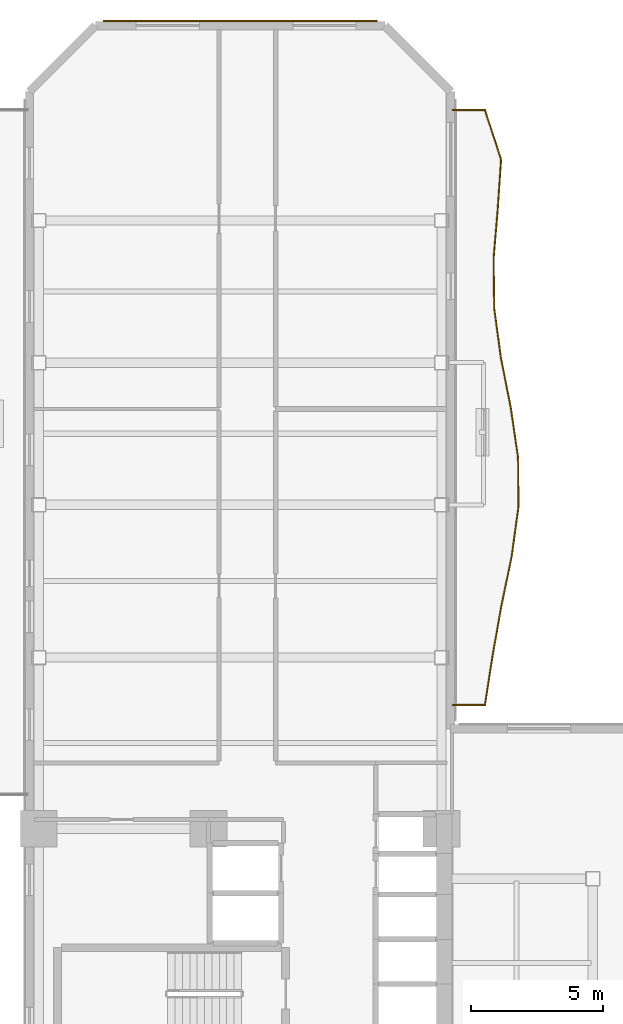
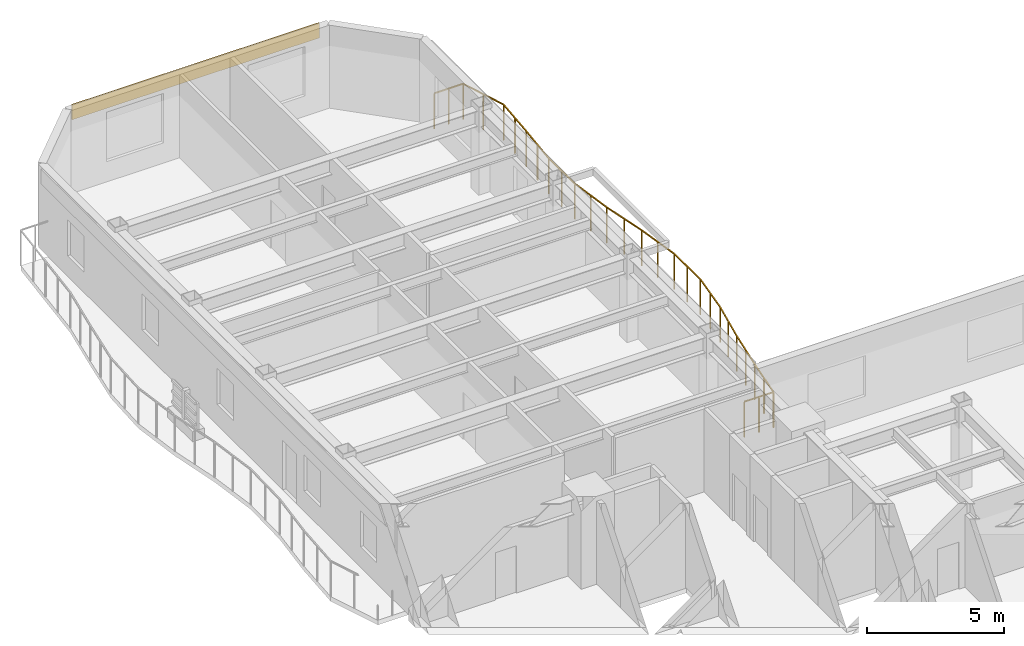
# One storey, part 16 of 16: 1 covering, 1 railing.
"""IFC4 building model written with IfcOpenShell, lengths in metres."""

from ifc_helpers import new_model, si_unit, direction, frame, origin, origin_2d, place, context, subcontext, project, spatial, rectangle, extrude, material, layer, layer_set, type_object, element, save


model = new_model("IFC4")

# Units and contexts
model_context = context("Model", 3, precision=1e-05, world=origin(), true_north=direction((0.0, 1.0)))
body_context = subcontext(model_context, "Body", "Model", "MODEL_VIEW")
ifc_project = project(units=[si_unit("LENGTHUNIT", "METRE"), si_unit("AREAUNIT", "SQUARE_METRE"), si_unit("VOLUMEUNIT", "CUBIC_METRE"), si_unit("PLANEANGLEUNIT", "RADIAN"), si_unit("MASSUNIT", "GRAM", prefix="KILO")], contexts=[model_context])

# Site, building, storey
site_placement = place(None, origin())
site = spatial("IfcSite", under=ifc_project, at=site_placement, CompositionType="ELEMENT")
building_placement = place(site_placement, origin())
building = spatial("IfcBuilding", under=site, at=building_placement, Name="Mawjaban Terraces University", CompositionType="ELEMENT")
storey_placement = place(building_placement, frame((0.0, 0.0, 54.39990234375)))
storey = spatial("IfcBuildingStorey", under=building, at=storey_placement, Name="L12", CompositionType="ELEMENT", Elevation=54.39990234375)

# Railing
ifc_material_1 = material(Name="Galvanised powder-coated steel S355", Category="steel")
railing_type = type_object("IfcRailingType", Name="BalconyBalustrade_1600", PredefinedType="BALUSTRADE", material=ifc_material_1)
railing_placement = place(storey_placement, frame((38.080078125, 28.195068359375, 0.0)))
element("IfcRailing", 1, at=railing_placement, inside=storey, type_object=railing_type, Name="L12 Balcony Guardrail inner_east", PredefinedType="BALUSTRADE", context=body_context, shape_type="SweptSolid", body=[
    extrude(rectangle(XDim=0.048095703125, YDim=0.048095703125, at=origin_2d()), frame((0.0, 0.0, 1.576171875), z_axis=(1.0, 0.0, 0.0), x_axis=(0.0, 1.0, 0.0)), (0.0, 0.0, 1.0), 1.219970703125),
    extrude(rectangle(XDim=0.048095703125, YDim=0.048095703125, at=origin_2d()), frame((1.219970703125, 0.0, 1.576171875), z_axis=(0.153654219837, 0.988124678736, 0.0), x_axis=(-0.988124678736, 0.153654219837, 0.0)), (0.0, 0.0, 1.0), 1.90673828125),
    extrude(rectangle(XDim=0.048095703125, YDim=0.048095703125, at=origin_2d()), frame((1.512939453125, 1.884033203125, 1.576171875), z_axis=(0.17416409514, 0.984716643489, 0.0), x_axis=(-0.984716643489, 0.17416409514, 0.0)), (0.0, 0.0, 1.0), 1.912109375),
    extrude(rectangle(XDim=0.048095703125, YDim=0.048095703125, at=origin_2d()), frame((1.845947265625, 3.766845703125, 1.576171875), z_axis=(0.203746535737, 0.979023671407, 0.0), x_axis=(-0.979023671407, 0.203746535737, 0.0)), (0.0, 0.0, 1.0), 1.92431640625),
    extrude(rectangle(XDim=0.048095703125, YDim=0.048095703125, at=origin_2d()), frame((2.238037109375, 5.65087890625, 1.576171875), z_axis=(0.13557726015, 0.990766777062, 0.0), x_axis=(-0.990766777062, 0.13557726015, 0.0)), (0.0, 0.0, 1.0), 1.901611328125),
    extrude(rectangle(XDim=0.048095703125, YDim=0.048095703125, at=origin_2d()), frame((2.495849609375, 7.534912109375, 1.576171875), z_axis=(-0.009459211355, 0.999955260659, 0.0), x_axis=(-0.999955260659, -0.009459211355, 0.0)), (0.0, 0.0, 1.0), 1.884033203125),
    extrude(rectangle(XDim=0.048095703125, YDim=0.048095703125, at=origin_2d()), frame((2.47802734375, 9.4189453125, 1.576171875), z_axis=(-0.145512445013, 0.989356421289, 0.0), x_axis=(-0.989356421289, -0.145512445013, 0.0)), (0.0, 0.0, 1.0), 1.904296875),
    extrude(rectangle(XDim=0.048095703125, YDim=0.048095703125, at=origin_2d()), frame((2.200927734375, 11.302978515625, 1.576171875), z_axis=(-0.193840824881, 0.98103299364, 0.0), x_axis=(-0.98103299364, -0.193840824881, 0.0)), (0.0, 0.0, 1.0), 1.91943359375),
    extrude(rectangle(XDim=0.048095703125, YDim=0.048095703125, at=origin_2d()), frame((1.828857421875, 13.18603515625, 1.576171875), z_axis=(-0.134585953266, 0.99090192309, 0.0), x_axis=(-0.99090192309, -0.134585953266, 0.0)), (0.0, 0.0, 1.0), 1.901123046875),
    extrude(rectangle(XDim=0.048095703125, YDim=0.048095703125, at=origin_2d()), frame((1.572998046875, 15.06982421875, 1.576171875), z_axis=(-0.01230955064, 0.999924234611, 0.0), x_axis=(-0.999924234611, -0.01230955064, 0.0)), (0.0, 0.0, 1.0), 1.88427734375),
    extrude(rectangle(XDim=0.048095703125, YDim=0.048095703125, at=origin_2d()), frame((1.5498046875, 16.953857421875, 1.576171875), z_axis=(0.083205867042, 0.996532379649, 0.0), x_axis=(-0.996532379649, 0.083205867042, 0.0)), (0.0, 0.0, 1.0), 1.8896484375),
    extrude(rectangle(XDim=0.048095703125, YDim=0.048095703125, at=origin_2d()), frame((1.70703125, 18.8369140625, 1.576171875), z_axis=(0.067231237369, 0.997737420728, 0.0), x_axis=(-0.997737420728, 0.067231237369, 0.0)), (0.0, 0.0, 1.0), 1.88818359375),
    extrude(rectangle(XDim=0.048095703125, YDim=0.048095703125, at=origin_2d()), frame((1.833984375, 20.720947265625, 1.576171875), z_axis=(-0.309863232872, 0.950781140386, 0.0), x_axis=(-0.950781140386, -0.309863232872, 0.0)), (0.0, 0.0, 1.0), 1.9814453125),
    extrude(rectangle(XDim=0.048095703125, YDim=0.048095703125, at=origin_2d()), frame((1.219970703125, 22.60498046875, 1.576171875), z_axis=(-1.0, 0.0, 0.0), x_axis=(0.0, -1.0, 0.0)), (0.0, 0.0, 1.0), 1.219970703125),
    extrude(rectangle(XDim=0.0419921875, YDim=0.0419921875, at=origin_2d()), origin(), (0.0, 0.0, 1.0), 1.552001953125),
    extrude(rectangle(XDim=0.0419921875, YDim=0.0419921875, at=origin_2d()), frame((0.60986328125, 0.0, 0.0)), (0.0, 0.0, 1.0), 1.552001953125),
    extrude(rectangle(XDim=0.0419921875, YDim=0.0419921875, at=origin_2d()), frame((1.219970703125, 0.0, 0.0)), (0.0, 0.0, 1.0), 1.552001953125),
    extrude(rectangle(XDim=0.0419921875, YDim=0.0419921875, at=origin_2d()), frame((1.366455078125, 0.94189453125, 0.0)), (0.0, 0.0, 1.0), 1.552001953125),
    extrude(rectangle(XDim=0.0419921875, YDim=0.0419921875, at=origin_2d()), frame((1.512939453125, 1.884033203125, 0.0)), (0.0, 0.0, 1.0), 1.552001953125),
    extrude(rectangle(XDim=0.0419921875, YDim=0.0419921875, at=origin_2d()), frame((1.679443359375, 2.825439453125, 0.0)), (0.0, 0.0, 1.0), 1.552001953125),
    extrude(rectangle(XDim=0.0419921875, YDim=0.0419921875, at=origin_2d()), frame((1.845947265625, 3.766845703125, 0.0)), (0.0, 0.0, 1.0), 1.552001953125),
    extrude(rectangle(XDim=0.0419921875, YDim=0.0419921875, at=origin_2d()), frame((2.0419921875, 4.708984375, 0.0)), (0.0, 0.0, 1.0), 1.552001953125),
    extrude(rectangle(XDim=0.0419921875, YDim=0.0419921875, at=origin_2d()), frame((2.238037109375, 5.65087890625, 0.0)), (0.0, 0.0, 1.0), 1.552001953125),
    extrude(rectangle(XDim=0.0419921875, YDim=0.0419921875, at=origin_2d()), frame((2.366943359375, 6.5927734375, 0.0)), (0.0, 0.0, 1.0), 1.552001953125),
    extrude(rectangle(XDim=0.0419921875, YDim=0.0419921875, at=origin_2d()), frame((2.495849609375, 7.534912109375, 0.0)), (0.0, 0.0, 1.0), 1.552001953125),
    extrude(rectangle(XDim=0.0419921875, YDim=0.0419921875, at=origin_2d()), frame((2.48681640625, 8.47705078125, 0.0)), (0.0, 0.0, 1.0), 1.552001953125),
    extrude(rectangle(XDim=0.0419921875, YDim=0.0419921875, at=origin_2d()), frame((2.47802734375, 9.4189453125, 0.0)), (0.0, 0.0, 1.0), 1.552001953125),
    extrude(rectangle(XDim=0.0419921875, YDim=0.0419921875, at=origin_2d()), frame((2.33935546875, 10.36083984375, 0.0)), (0.0, 0.0, 1.0), 1.552001953125),
    extrude(rectangle(XDim=0.0419921875, YDim=0.0419921875, at=origin_2d()), frame((2.200927734375, 11.302978515625, 0.0)), (0.0, 0.0, 1.0), 1.552001953125),
    extrude(rectangle(XDim=0.0419921875, YDim=0.0419921875, at=origin_2d()), frame((2.014892578125, 12.24462890625, 0.0)), (0.0, 0.0, 1.0), 1.552001953125),
    extrude(rectangle(XDim=0.0419921875, YDim=0.0419921875, at=origin_2d()), frame((1.828857421875, 13.18603515625, 0.0)), (0.0, 0.0, 1.0), 1.552001953125),
    extrude(rectangle(XDim=0.0419921875, YDim=0.0419921875, at=origin_2d()), frame((1.700927734375, 14.1279296875, 0.0)), (0.0, 0.0, 1.0), 1.552001953125),
    extrude(rectangle(XDim=0.0419921875, YDim=0.0419921875, at=origin_2d()), frame((1.572998046875, 15.06982421875, 0.0)), (0.0, 0.0, 1.0), 1.552001953125),
    extrude(rectangle(XDim=0.0419921875, YDim=0.0419921875, at=origin_2d()), frame((1.5615234375, 16.01171875, 0.0)), (0.0, 0.0, 1.0), 1.552001953125),
    extrude(rectangle(XDim=0.0419921875, YDim=0.0419921875, at=origin_2d()), frame((1.5498046875, 16.953857421875, 0.0)), (0.0, 0.0, 1.0), 1.552001953125),
    extrude(rectangle(XDim=0.0419921875, YDim=0.0419921875, at=origin_2d()), frame((1.62841796875, 17.8955078125, 0.0)), (0.0, 0.0, 1.0), 1.552001953125),
    extrude(rectangle(XDim=0.0419921875, YDim=0.0419921875, at=origin_2d()), frame((1.70703125, 18.8369140625, 0.0)), (0.0, 0.0, 1.0), 1.552001953125),
    extrude(rectangle(XDim=0.0419921875, YDim=0.0419921875, at=origin_2d()), frame((1.7705078125, 19.77880859375, 0.0)), (0.0, 0.0, 1.0), 1.552001953125),
    extrude(rectangle(XDim=0.0419921875, YDim=0.0419921875, at=origin_2d()), frame((1.833984375, 20.720947265625, 0.0)), (0.0, 0.0, 1.0), 1.552001953125),
    extrude(rectangle(XDim=0.0419921875, YDim=0.0419921875, at=origin_2d()), frame((1.52685546875, 21.6630859375, 0.0)), (0.0, 0.0, 1.0), 1.552001953125),
    extrude(rectangle(XDim=0.0419921875, YDim=0.0419921875, at=origin_2d()), frame((1.219970703125, 22.60498046875, 0.0)), (0.0, 0.0, 1.0), 1.552001953125),
    extrude(rectangle(XDim=0.0419921875, YDim=0.0419921875, at=origin_2d()), frame((0.60986328125, 22.60498046875, 0.0)), (0.0, 0.0, 1.0), 1.552001953125),
    extrude(rectangle(XDim=0.0419921875, YDim=0.0419921875, at=origin_2d()), frame((0.0, 22.60498046875, 0.0)), (0.0, 0.0, 1.0), 1.552001953125),
])

# Covering
ifc_material_2 = material(Name="Glazed architectural terracotta rainscreen", Category="masonry")
ifc_layer = layer(ifc_material_2, 0.06005859375)
ifc_layer_set = layer_set([ifc_layer], Name="Glazed architectural terracotta rainscreen")
covering_type = type_object("IfcCoveringType", Name="TerracottaSpandrelCladding_60", PredefinedType="CLADDING", material=ifc_layer_set)
covering_placement = place(storey_placement, frame((30.0, 54.18505859375, 3.01513671875), z_axis=(0.0, 0.0, 1.0), x_axis=(-1.0, 0.0, 0.0)))
element("IfcCovering", 2, at=covering_placement, inside=storey, type_object=covering_type, Name="L12 Terracotta Spandrel Cladding 11", PredefinedType="CLADDING", context=body_context, shape_type="SweptSolid", body=[
    extrude(rectangle(XDim=10.39990234375, YDim=0.06005859375, at=origin_2d()), origin(), (0.0, 0.0, 1.0), 0.64990234375),
])

save(model, "model.ifc")
